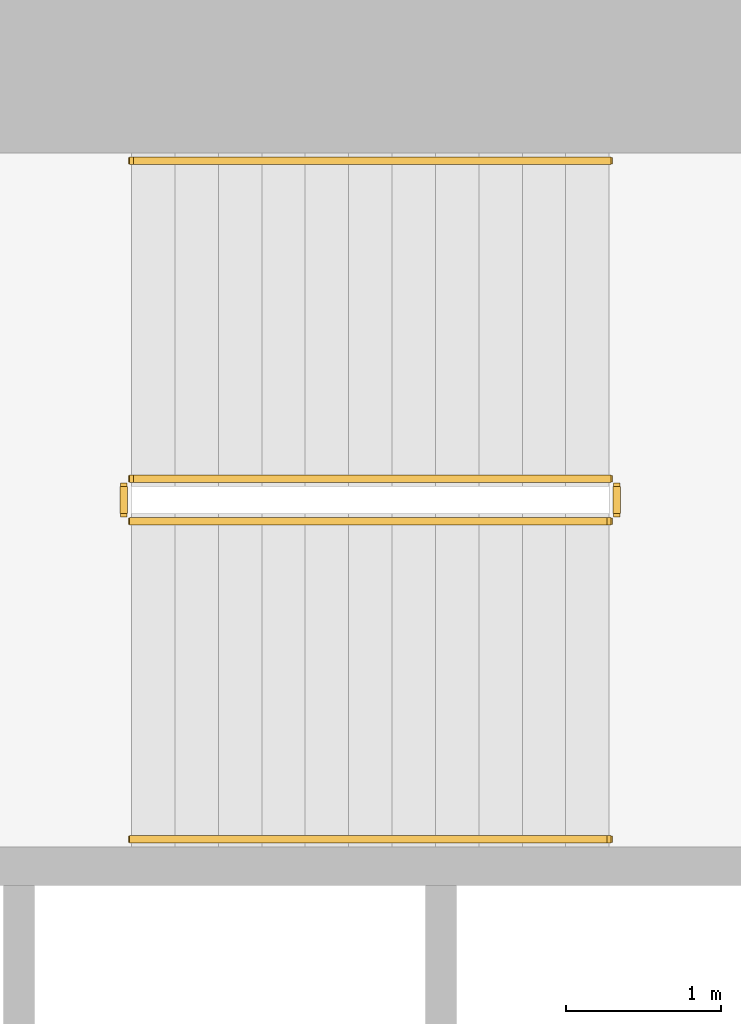
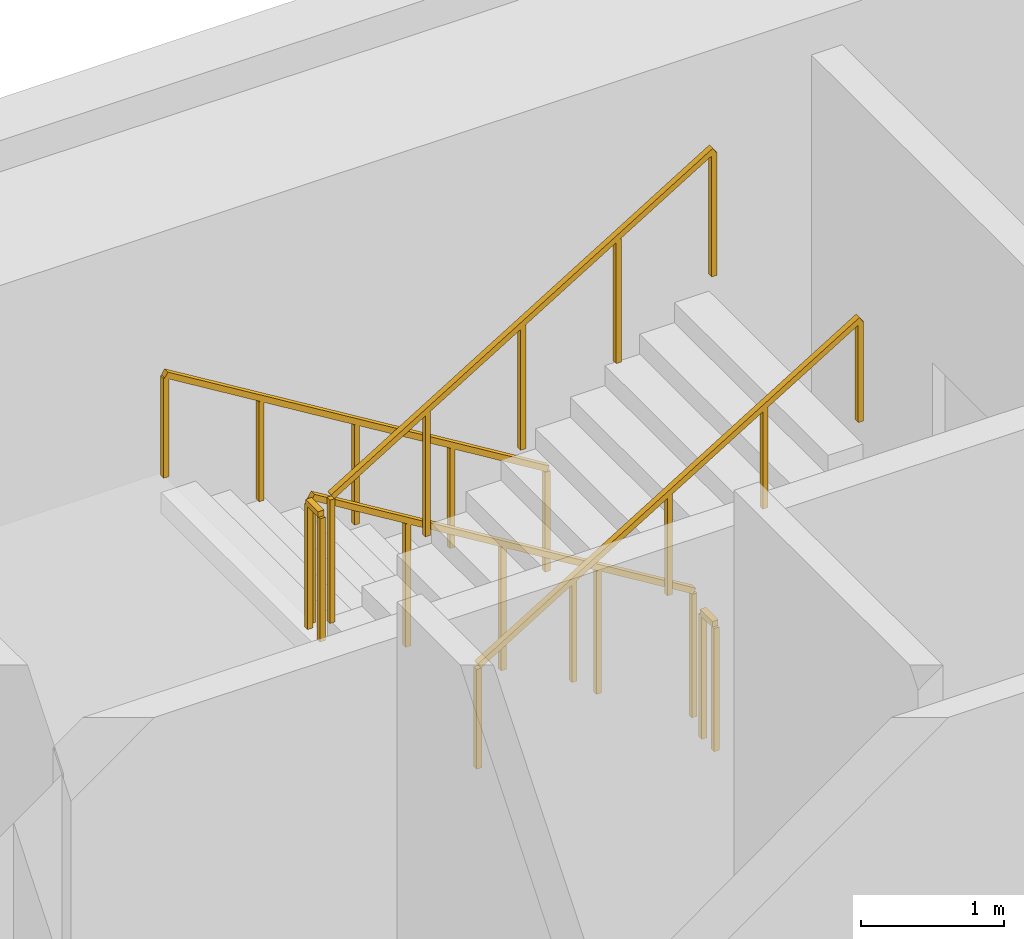
# One storey, part 13 of 14: 6 railings.
"""IFC4 building model written with IfcOpenShell, lengths in metres."""

from ifc_helpers import new_model, si_unit, direction, frame, origin, origin_2d, place, context, subcontext, project, spatial, rectangle, extrude, material, type_object, element, save


model = new_model("IFC4")

# Units and contexts
model_context = context("Model", 3, precision=1e-05, world=origin(), true_north=direction((0.0, 1.0)))
body_context = subcontext(model_context, "Body", "Model", "MODEL_VIEW")
ifc_project = project(units=[si_unit("LENGTHUNIT", "METRE"), si_unit("AREAUNIT", "SQUARE_METRE"), si_unit("VOLUMEUNIT", "CUBIC_METRE"), si_unit("PLANEANGLEUNIT", "RADIAN"), si_unit("MASSUNIT", "GRAM", prefix="KILO")], contexts=[model_context])

# Site, building, storey
site_placement = place(None, origin())
site = spatial("IfcSite", under=ifc_project, at=site_placement, CompositionType="ELEMENT")
building_placement = place(site_placement, origin())
building = spatial("IfcBuilding", under=site, at=building_placement, Name="Cypress Arch Tower", CompositionType="ELEMENT")
storey_placement = place(building_placement, frame((0.0, 0.0, 201.5)))
storey = spatial("IfcBuildingStorey", under=building, at=storey_placement, Name="L44", CompositionType="ELEMENT", Elevation=201.5)

# Railings
ifc_material_1 = material(Name="Black powder-coated steel square bar 48 mm", Category="steel")
railing_type_1 = type_object("IfcRailingType", Name="Stair handrail HR1", PredefinedType="HANDRAIL", material=ifc_material_1)
railing_1_placement = place(storey_placement, frame((-22.27490234375, 14.75, 0.1708984375)))
element("IfcRailing", 1, at=railing_1_placement, inside=storey, type_object=railing_type_1, Name="L44 B stair handrail 1", PredefinedType="HANDRAIL", context=body_context, shape_type="SweptSolid", body=[
    extrude(rectangle(XDim=0.048095703125, YDim=0.048095703125, at=origin_2d()), frame((0.0, 0.0, 0.8759765625), z_axis=(-0.853666305674, 0.0, 0.52082035152), x_axis=(0.0, -1.0, 0.0)), (0.0, 0.0, 1.0), 3.608154296875),
    extrude(rectangle(XDim=0.0419921875, YDim=0.0419921875, at=origin_2d()), origin(), (0.0, 0.0, 1.0), 0.851806640625),
    extrude(rectangle(XDim=0.0419921875, YDim=0.0419921875, at=origin_2d()), frame((-0.77001953125, 0.0, 0.4697265625)), (0.0, 0.0, 1.0), 0.851806640625),
    extrude(rectangle(XDim=0.0419921875, YDim=0.0419921875, at=origin_2d()), frame((-1.5400390625, 0.0, 0.939453125)), (0.0, 0.0, 1.0), 0.851806640625),
    extrude(rectangle(XDim=0.0419921875, YDim=0.0419921875, at=origin_2d()), frame((-2.31005859375, 0.0, 1.409423828125)), (0.0, 0.0, 1.0), 0.851806640625),
    extrude(rectangle(XDim=0.0419921875, YDim=0.0419921875, at=origin_2d()), frame((-3.080078125, 0.0, 1.879150390625)), (0.0, 0.0, 1.0), 0.851806640625),
])
railing_2_placement = place(storey_placement, frame((-25.35498046875, 10.375, 2.220947265625)))
element("IfcRailing", 2, at=railing_2_placement, inside=storey, type_object=railing_type_1, Name="L44 B stair handrail 2", PredefinedType="HANDRAIL", context=body_context, shape_type="SweptSolid", body=[
    extrude(rectangle(XDim=0.048095703125, YDim=0.048095703125, at=origin_2d()), frame((0.0, 0.0, 0.8759765625), z_axis=(0.853666305674, 0.0, 0.52082035152), x_axis=(0.0, 1.0, 0.0)), (0.0, 0.0, 1.0), 3.608154296875),
    extrude(rectangle(XDim=0.0419921875, YDim=0.0419921875, at=origin_2d()), origin(), (0.0, 0.0, 1.0), 0.851806640625),
    extrude(rectangle(XDim=0.0419921875, YDim=0.0419921875, at=origin_2d()), frame((0.77001953125, 0.0, 0.4697265625)), (0.0, 0.0, 1.0), 0.851806640625),
    extrude(rectangle(XDim=0.0419921875, YDim=0.0419921875, at=origin_2d()), frame((1.5400390625, 0.0, 0.939453125)), (0.0, 0.0, 1.0), 0.851806640625),
    extrude(rectangle(XDim=0.0419921875, YDim=0.0419921875, at=origin_2d()), frame((2.31005859375, 0.0, 1.409423828125)), (0.0, 0.0, 1.0), 0.851806640625),
    extrude(rectangle(XDim=0.0419921875, YDim=0.0419921875, at=origin_2d()), frame((3.080078125, 0.0, 1.879150390625)), (0.0, 0.0, 1.0), 0.851806640625),
])
ifc_material_2 = material(Name="Black powder-coated steel balusters", Category="steel")
railing_type_2 = type_object("IfcRailingType", Name="Stair well guard G1", PredefinedType="GUARDRAIL", material=ifc_material_2)
railing_3_placement = place(storey_placement, frame((-22.27490234375, 12.699951171875, 0.1708984375)))
element("IfcRailing", 3, at=railing_3_placement, inside=storey, type_object=railing_type_2, Name="L44 B stair guard 1", PredefinedType="GUARDRAIL", context=body_context, shape_type="SweptSolid", body=[
    extrude(rectangle(XDim=0.048095703125, YDim=0.048095703125, at=origin_2d()), frame((0.0, 0.0, 1.076171875), z_axis=(-0.853666305674, 0.0, 0.52082035152), x_axis=(0.0, -1.0, 0.0)), (0.0, 0.0, 1.0), 3.608154296875),
    extrude(rectangle(XDim=0.0419921875, YDim=0.0419921875, at=origin_2d()), origin(), (0.0, 0.0, 1.0), 1.052001953125),
    extrude(rectangle(XDim=0.0419921875, YDim=0.0419921875, at=origin_2d()), frame((-0.77001953125, 0.0, 0.4697265625)), (0.0, 0.0, 1.0), 1.052001953125),
    extrude(rectangle(XDim=0.0419921875, YDim=0.0419921875, at=origin_2d()), frame((-1.5400390625, 0.0, 0.939453125)), (0.0, 0.0, 1.0), 1.052001953125),
    extrude(rectangle(XDim=0.0419921875, YDim=0.0419921875, at=origin_2d()), frame((-2.31005859375, 0.0, 1.409423828125)), (0.0, 0.0, 1.0), 1.052001953125),
    extrude(rectangle(XDim=0.0419921875, YDim=0.0419921875, at=origin_2d()), frame((-3.080078125, 0.0, 1.879150390625)), (0.0, 0.0, 1.0), 1.052001953125),
])
railing_4_placement = place(storey_placement, frame((-25.405029296875, 12.64990234375, 2.050048828125)))
element("IfcRailing", 4, at=railing_4_placement, inside=storey, type_object=railing_type_2, Name="L44 B stair guard 2", PredefinedType="GUARDRAIL", context=body_context, shape_type="SweptSolid", body=[
    extrude(rectangle(XDim=0.048095703125, YDim=0.048095703125, at=origin_2d()), frame((0.0, 0.0, 1.076171875), z_axis=(0.0, -1.0, 0.0), x_axis=(1.0, 0.0, 0.0)), (0.0, 0.0, 1.0), 0.1748046875),
    extrude(rectangle(XDim=0.0419921875, YDim=0.0419921875, at=origin_2d()), origin(), (0.0, 0.0, 1.0), 1.052001953125),
    extrude(rectangle(XDim=0.0419921875, YDim=0.0419921875, at=origin_2d()), frame((0.0, -0.1748046875, 0.0)), (0.0, 0.0, 1.0), 1.052001953125),
])
railing_5_placement = place(storey_placement, frame((-25.35498046875, 12.425048828125, 2.220947265625)))
element("IfcRailing", 5, at=railing_5_placement, inside=storey, type_object=railing_type_2, Name="L44 B stair guard 3", PredefinedType="GUARDRAIL", context=body_context, shape_type="SweptSolid", body=[
    extrude(rectangle(XDim=0.048095703125, YDim=0.048095703125, at=origin_2d()), frame((0.0, 0.0, 1.076171875), z_axis=(0.853666305674, 0.0, 0.52082035152), x_axis=(0.0, 1.0, 0.0)), (0.0, 0.0, 1.0), 3.608154296875),
    extrude(rectangle(XDim=0.0419921875, YDim=0.0419921875, at=origin_2d()), origin(), (0.0, 0.0, 1.0), 1.052001953125),
    extrude(rectangle(XDim=0.0419921875, YDim=0.0419921875, at=origin_2d()), frame((0.77001953125, 0.0, 0.4697265625)), (0.0, 0.0, 1.0), 1.052001953125),
    extrude(rectangle(XDim=0.0419921875, YDim=0.0419921875, at=origin_2d()), frame((1.5400390625, 0.0, 0.939453125)), (0.0, 0.0, 1.0), 1.052001953125),
    extrude(rectangle(XDim=0.0419921875, YDim=0.0419921875, at=origin_2d()), frame((2.31005859375, 0.0, 1.409423828125)), (0.0, 0.0, 1.0), 1.052001953125),
    extrude(rectangle(XDim=0.0419921875, YDim=0.0419921875, at=origin_2d()), frame((3.080078125, 0.0, 1.879150390625)), (0.0, 0.0, 1.0), 1.052001953125),
])
railing_6_placement = place(storey_placement, frame((-22.22509765625, 12.64990234375, 0.0)))
element("IfcRailing", 6, at=railing_6_placement, inside=storey, type_object=railing_type_2, Name="L44 B stair guard 4", PredefinedType="GUARDRAIL", context=body_context, shape_type="SweptSolid", body=[
    extrude(rectangle(XDim=0.048095703125, YDim=0.048095703125, at=origin_2d()), frame((0.0, 0.0, 1.076171875), z_axis=(0.0, -1.0, 0.0), x_axis=(1.0, 0.0, 0.0)), (0.0, 0.0, 1.0), 0.1748046875),
    extrude(rectangle(XDim=0.0419921875, YDim=0.0419921875, at=origin_2d()), origin(), (0.0, 0.0, 1.0), 1.052001953125),
    extrude(rectangle(XDim=0.0419921875, YDim=0.0419921875, at=origin_2d()), frame((0.0, -0.1748046875, 0.0)), (0.0, 0.0, 1.0), 1.052001953125),
])

save(model, "model.ifc")
